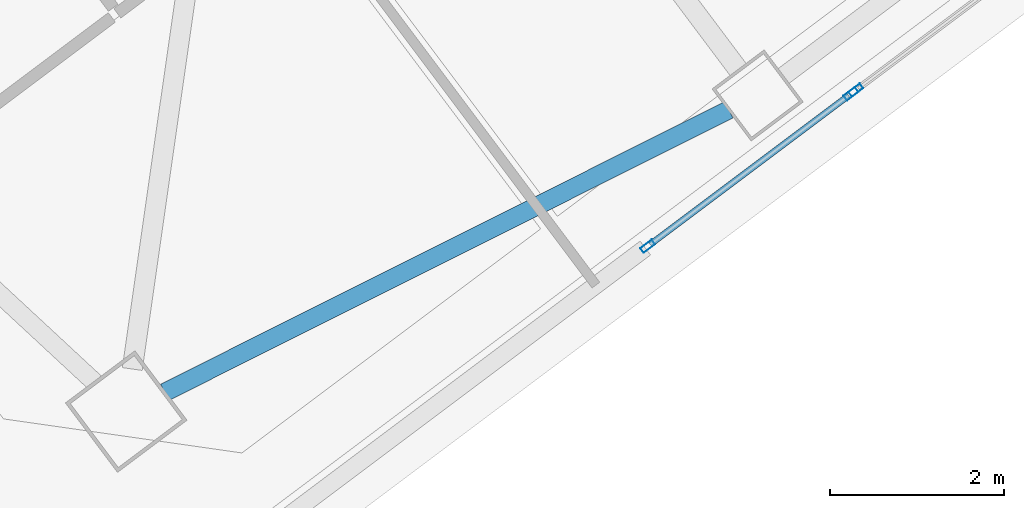
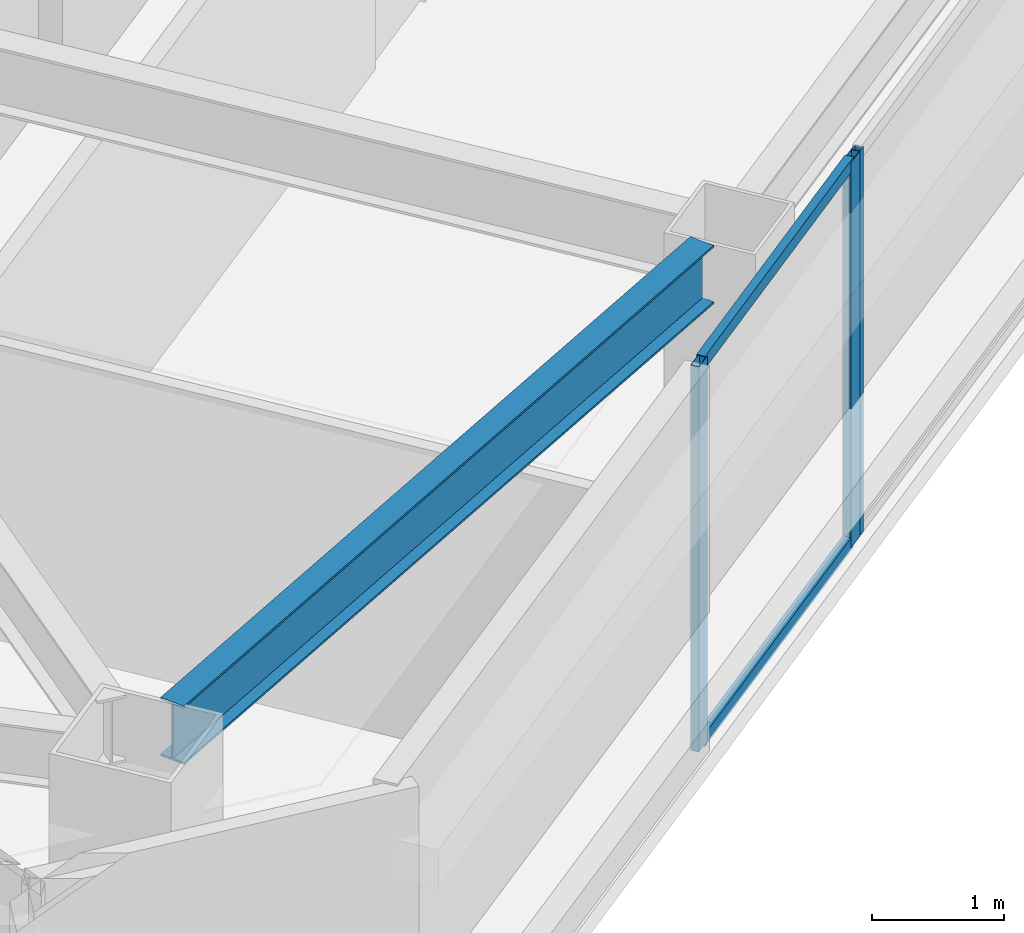
# One storey, part 18 of 40: 5 members, 1 beam, 2 elements without a shape of their own.
"""IFC4 building model written with IfcOpenShell, lengths in metres."""

import ifcopenshell
import ifcopenshell.guid

model = None  # the IFC model being written
_history = None  # IfcOwnerHistory: only IFC2X3 demands one
_inside = {}  # id of a spatial element -> (the spatial element, [elements in it])
_under = {}  # id of a project, library or spatial element -> (it, [spatial elements below it])
_declared = {}  # id of a project -> (the project, [libraries it declares])
_typed = {}  # id of a type object -> (the type object, [elements of that type])
_made_of = {}  # id of a material, layer set ... -> (it, [elements and type objects made of it])


def new_model(schema):
    """Start an empty IFC model of exactly this schema.

    Asked for "IFC4X3", IfcOpenShell would pick the latest addendum, in which some entities
    have other attributes; the version numbers below select the first issue.
    IFC2X3 requires an IfcOwnerHistory on every rooted entity: one is made here for all.
    """
    global model, _history
    if schema == "IFC4X3":
        model = ifcopenshell.file(schema_version=(4, 3, 0, 0))
    else:
        model = ifcopenshell.file(schema=schema)
    _inside.clear()
    _under.clear()
    _declared.clear()
    _typed.clear()
    _made_of.clear()
    _history = None
    if model.schema == "IFC2X3":
        org = make("IfcOrganization", Name="unknown")
        user = make(
            "IfcPersonAndOrganization",
            ThePerson=make("IfcPerson", FamilyName="unknown"),
            TheOrganization=org,
        )
        app = make(
            "IfcApplication",
            ApplicationDeveloper=org,
            Version="unknown",
            ApplicationFullName="unknown",
            ApplicationIdentifier="unknown",
        )
        _history = make(
            "IfcOwnerHistory",
            OwningUser=user,
            OwningApplication=app,
            ChangeAction="ADDED",
            CreationDate=0,
        )
    return model


def make(cls, **values):
    """One entity of the class cls with the attributes given. An attribute that is None is left unset."""
    return model.create_entity(
        cls, **{name: value for name, value in values.items() if value is not None}
    )


def rooted(cls, **values):
    """An entity with a GlobalId (a new one), such as an element, a storey or a relation."""
    return make(cls, GlobalId=ifcopenshell.guid.new(), OwnerHistory=_history, **values)


def si_unit(unit_type, name, prefix=None):
    """IfcSIUnit, for example si_unit("LENGTHUNIT", "METRE", prefix="MILLI")."""
    return make("IfcSIUnit", UnitType=unit_type, Prefix=prefix, Name=name)


def assignment(units):
    """IfcUnitAssignment: the units of a project."""
    return None if units is None else make("IfcUnitAssignment", Units=units)


def point(xyz):
    """IfcCartesianPoint."""
    return None if xyz is None else make("IfcCartesianPoint", Coordinates=xyz)


def direction(xyz):
    """IfcDirection."""
    return None if xyz is None else make("IfcDirection", DirectionRatios=xyz)


def frame(location, z_axis=None, x_axis=None):
    """IfcAxis2Placement3D, a coordinate frame: its origin and axes. An axis left out is left unset."""
    return make(
        "IfcAxis2Placement3D",
        Location=point(location),
        Axis=direction(z_axis),
        RefDirection=direction(x_axis),
    )


def frame_2d(location, x_axis=None):
    """IfcAxis2Placement2D, a coordinate frame in the plane: its origin and x axis."""
    return make(
        "IfcAxis2Placement2D", Location=point(location), RefDirection=direction(x_axis)
    )


def origin():
    """The frame at (0, 0, 0) with its axes left unset."""
    return frame((0.0, 0.0, 0.0))


def origin_2d():
    """The frame at (0, 0) in the plane with its x axis left unset."""
    return frame_2d((0.0, 0.0))


def place(relative_to, where):
    """IfcLocalPlacement: puts the frame where relative to a parent placement (None: the world)."""
    return make(
        "IfcLocalPlacement", PlacementRelTo=relative_to, RelativePlacement=where
    )


def context(
    kind, dimensions, precision=None, world=None, true_north=None, identifier=None
):
    """IfcGeometricRepresentationContext, for example the 3D "Model" context."""
    return make(
        "IfcGeometricRepresentationContext",
        ContextIdentifier=identifier,
        ContextType=kind,
        CoordinateSpaceDimension=dimensions,
        Precision=precision,
        WorldCoordinateSystem=world,
        TrueNorth=true_north,
    )


def subcontext(parent, identifier, kind, view, scale=None):
    """IfcGeometricRepresentationSubContext, for example "Body" below "Model"."""
    return make(
        "IfcGeometricRepresentationSubContext",
        ContextIdentifier=identifier,
        ContextType=kind,
        ParentContext=parent,
        TargetScale=scale,
        TargetView=view,
    )


def project(units=None, contexts=None):
    """IfcProject with its units and contexts."""
    return rooted(
        "IfcProject",
        Name="project",
        RepresentationContexts=contexts,
        UnitsInContext=assignment(units),
    )


def spatial(cls, under=None, at=None, **own):
    """A site, building, storey or space (cls), placed at a placement, below another one or the project."""
    s = rooted(cls, ObjectPlacement=at, **own)
    if under is not None:
        _under.setdefault(under.id(), (under, []))[1].append(s)
    return s


def profile(cls, at=None, kind="AREA", **sizes):
    """A parametric profile (cls). Its sizes go by their IFC names, for example OverallWidth=200.0."""
    return make(cls, ProfileType=kind, Position=at, **sizes)


def hollow_rectangle(**sizes):
    """IfcRectangleHollowProfileDef."""
    return profile("IfcRectangleHollowProfileDef", **sizes)


def i_section(**sizes):
    """IfcIShapeProfileDef."""
    return profile("IfcIShapeProfileDef", **sizes)


def extrude(swept, where, along, depth):
    """IfcExtrudedAreaSolid: the profile swept, set in the frame where, extruded along a direction by depth."""
    return make(
        "IfcExtrudedAreaSolid",
        SweptArea=swept,
        Position=where,
        ExtrudedDirection=direction(along),
        Depth=depth,
    )


def shape(context_of_items, identifier, shape_type, items):
    """IfcShapeRepresentation: the items that make up one representation, for example the "Body"."""
    return make(
        "IfcShapeRepresentation",
        ContextOfItems=context_of_items,
        RepresentationIdentifier=identifier,
        RepresentationType=shape_type,
        Items=items,
    )


def material(Name=None, Category=None):
    """IfcMaterial."""
    return make("IfcMaterial", Name=Name, Category=Category)


def material_profile(
    of_material, cross_section, Name=None, Category=None, Priority=None
):
    """IfcMaterialProfile: a cross section and its material."""
    return make(
        "IfcMaterialProfile",
        Name=Name,
        Material=of_material,
        Profile=cross_section,
        Priority=Priority,
        Category=Category,
    )


def profile_set(profiles, Name=None, composite=None):
    """IfcMaterialProfileSet."""
    return make(
        "IfcMaterialProfileSet",
        Name=Name,
        MaterialProfiles=profiles,
        CompositeProfile=composite,
    )


def made_of(thing, what):
    """Note that an element or type object is made of a material, layer set ...; save() writes the relation."""
    if what is not None:
        _made_of.setdefault(what.id(), (what, []))[1].append(thing)
    return thing


def type_object(cls, material=None, **own):
    """A type object (cls), such as IfcWallType, which elements share."""
    return made_of(rooted(cls, **own), material)


def element(
    cls,
    number,
    at=None,
    inside=None,
    cuts=None,
    type_object=None,
    material=None,
    context=None,
    identifier="Body",
    shape_type=None,
    held_by="IfcProductDefinitionShape",
    body=None,
    shapes=None,
    **own,
):
    """One element of the class cls, such as IfcWall. Its Tag is "e" and its number.

    at: its placement. inside: the storey or other place that contains it. cuts: it is an
    opening in that element (IfcRelVoidsElement). A single representation is given by context,
    identifier, shape_type and body (its items); several are given by shapes. held_by: the class
    of the entity that holds the representations. save() writes the other relations.
    """
    e = rooted(cls, Tag="e%d" % number, ObjectPlacement=at, **own)
    if body is not None:
        shapes = [shape(context, identifier, shape_type, body)]
    if shapes is not None:
        e.Representation = make(held_by, Representations=shapes)
    if inside is not None:
        _inside.setdefault(inside.id(), (inside, []))[1].append(e)
    if cuts is not None:
        rooted(
            "IfcRelVoidsElement", RelatingBuildingElement=cuts, RelatedOpeningElement=e
        )
    if type_object is not None:
        _typed.setdefault(type_object.id(), (type_object, []))[1].append(e)
    return made_of(e, material)


def aggregate(whole, parts):
    """IfcRelAggregates: a whole, such as a stair, and the parts it consists of."""
    return rooted("IfcRelAggregates", RelatingObject=whole, RelatedObjects=parts)


def save(model, path):
    """Write the relations noted so far, then the file.

    IfcRelAggregates (storeys below a building ...), IfcRelContainedInSpatialStructure (elements
    in a storey), IfcRelDefinesByType, IfcRelAssociatesMaterial and IfcRelDeclares: one each for
    every whole, place, type object, material and project.
    """
    for whole, parts in _under.values():
        aggregate(whole, parts)
    for where, things in _inside.values():
        rooted(
            "IfcRelContainedInSpatialStructure",
            RelatedElements=things,
            RelatingStructure=where,
        )
    for kind, things in _typed.values():
        rooted("IfcRelDefinesByType", RelatedObjects=things, RelatingType=kind)
    for what, things in _made_of.values():
        rooted("IfcRelAssociatesMaterial", RelatedObjects=things, RelatingMaterial=what)
    for by, libraries in _declared.values():
        rooted("IfcRelDeclares", RelatingContext=by, RelatedDefinitions=libraries)
    model.write(path)


model = new_model("IFC4")

# Units and contexts
model_context = context("Model", 3, precision=1e-05, world=origin(), true_north=direction((0.0, 1.0)))
body_context = subcontext(model_context, "Body", "Model", "MODEL_VIEW")
ifc_project = project(units=[si_unit("LENGTHUNIT", "METRE"), si_unit("AREAUNIT", "SQUARE_METRE"), si_unit("VOLUMEUNIT", "CUBIC_METRE"), si_unit("PLANEANGLEUNIT", "RADIAN"), si_unit("MASSUNIT", "GRAM", prefix="KILO")], contexts=[model_context])

# Site, building, storey
site_placement = place(None, origin())
site = spatial("IfcSite", under=ifc_project, at=site_placement, CompositionType="ELEMENT")
building_placement = place(site_placement, origin())
building = spatial("IfcBuilding", under=site, at=building_placement, Name="Tashvorn Skyway Center", CompositionType="ELEMENT")
storey_placement = place(building_placement, frame((0.0, 0.0, 221.949951171875)))
storey = spatial("IfcBuildingStorey", under=building, at=storey_placement, Name="L60", CompositionType="ELEMENT", Elevation=221.949951171875)

# Beam
ifc_material_1 = material(Name="Steel ASTM A992 Grade 50", Category="steel")
ifc_material_profile_1 = material_profile(ifc_material_1, i_section(OverallWidth=0.2109375, OverallDepth=0.5390625, WebThickness=0.01171875, FlangeThickness=0.018798828125, at=origin_2d()), Name="W21X73")
ifc_profile_set_1 = profile_set([ifc_material_profile_1], Name="Steel ASTM A992 Grade 50")
beam_type = type_object("IfcBeamType", Name="BM-SPANDREL-W21X73", PredefinedType="SPANDREL", material=ifc_profile_set_1)
beam_placement = place(storey_placement, frame((111.7626953125, 13.461669921875, 3.1005859375), z_axis=(0.894178380472, 0.447710870872, 0.0), x_axis=(-0.447710870872, 0.894178380472, 0.0)))
element("IfcBeam", 1, at=beam_placement, inside=storey, type_object=beam_type, Name="Tower 2 L60 Spandrel Beam 01", PredefinedType="SPANDREL", context=body_context, shape_type="SweptSolid", body=[
    extrude(i_section(OverallWidth=0.2109375, OverallDepth=0.5390625, WebThickness=0.01171875, FlangeThickness=0.018798828125, at=origin_2d()), origin(), (0.0, 0.0, 1.0), 7.26513671875),
])

# Curtain wall, member
ifc_material_2 = material(Name="Thermally broken bronze-anodized aluminium 6063-T6", Category="aluminium")
curtain_wall_type = type_object("IfcCurtainWallType", Name="CW-CW-Z5", PredefinedType="NOTDEFINED", material=ifc_material_2)
curtain_wall_1_placement = place(storey_placement, origin())
curtain_wall_1 = element("IfcCurtainWall", 2, at=curtain_wall_1_placement, inside=storey, type_object=curtain_wall_type, Name="Tower 2 L60 South Unitised Curtain Wall Glazing Group 2", PredefinedType="NOTDEFINED")
ifc_material_profile_2 = material_profile(ifc_material_2, hollow_rectangle(XDim=0.070068359375, YDim=0.1650390625, WallThickness=0.00390625, at=origin_2d()), Name="ALU-MULL-70x165")
ifc_profile_set_2 = profile_set([ifc_material_profile_2], Name="Thermally broken bronze-anodized aluminium 6063-T6")
member_type_1 = type_object("IfcMemberType", Name="CWM-CW-Z5", PredefinedType="MULLION", material=ifc_profile_set_2)
member_1_placement = place(storey_placement, frame((119.72119140625, 16.94091796875, 0.0), z_axis=(0.0, 0.0, 1.0), x_axis=(0.599996439189, -0.800002670596, 0.0)))
member_1 = element("IfcMember", 3, at=member_1_placement, type_object=member_type_1, Name="CW-Z5 mullion 2", PredefinedType="MULLION", context=body_context, shape_type="SweptSolid", body=[
    extrude(hollow_rectangle(XDim=0.070068359375, YDim=0.1650390625, WallThickness=0.00390625, at=origin_2d()), origin(), (0.0, 0.0, 1.0), 3.550048828125),
])
aggregate(curtain_wall_1, [member_1])

# Curtain wall, members
curtain_wall_2_placement = place(storey_placement, origin())
curtain_wall_2 = element("IfcCurtainWall", 4, at=curtain_wall_2_placement, inside=storey, type_object=curtain_wall_type, Name="Tower 2 L60 South Unitised Curtain Wall Glazing Group 3", PredefinedType="NOTDEFINED")
member_2_placement = place(storey_placement, frame((119.665283203125, 16.89892578125, 0.0), z_axis=(0.0, 0.0, 1.0), x_axis=(0.600000000002, -0.799999999998, 0.0)))
member_2 = element("IfcMember", 5, at=member_2_placement, type_object=member_type_1, Name="CW-Z5 mullion 1", PredefinedType="MULLION", context=body_context, shape_type="SweptSolid", body=[
    extrude(hollow_rectangle(XDim=0.070068359375, YDim=0.1650390625, WallThickness=0.00390625, at=origin_2d()), origin(), (0.0, 0.0, 1.0), 3.550048828125),
])
member_3_placement = place(storey_placement, frame((117.324951171875, 15.143798828125, 0.0), z_axis=(0.0, 0.0, 1.0), x_axis=(0.600000000002, -0.799999999998, 0.0)))
member_3 = element("IfcMember", 6, at=member_3_placement, type_object=member_type_1, Name="CW-Z5 mullion 2", PredefinedType="MULLION", context=body_context, shape_type="SweptSolid", body=[
    extrude(hollow_rectangle(XDim=0.070068359375, YDim=0.1650390625, WallThickness=0.00390625, at=origin_2d()), origin(), (0.0, 0.0, 1.0), 3.550048828125),
])
ifc_material_profile_3 = material_profile(ifc_material_2, hollow_rectangle(XDim=0.070068359375, YDim=0.114990234375, WallThickness=0.00390625, at=origin_2d()), Name="ALU-TRAN-70x115")
ifc_profile_set_3 = profile_set([ifc_material_profile_3], Name="Thermally broken bronze-anodized aluminium 6063-T6")
member_type_2 = type_object("IfcMemberType", Name="CWT-CW-Z5", PredefinedType="USERDEFINED", material=ifc_profile_set_3)
member_4_placement = place(storey_placement, frame((119.63720703125, 16.8779296875, 0.03515625), z_axis=(-0.800030779227, -0.599958958837, 0.0), x_axis=(0.599958958837, -0.800030779227, 0.0)))
member_4 = element("IfcMember", 7, at=member_4_placement, type_object=member_type_2, Name="CW-Z5 transom 1.1", ObjectType="TRANSOM", PredefinedType="USERDEFINED", context=body_context, shape_type="SweptSolid", body=[
    extrude(hollow_rectangle(XDim=0.070068359375, YDim=0.114990234375, WallThickness=0.00390625, at=origin_2d()), origin(), (0.0, 0.0, 1.0), 2.85546875),
])
member_5_placement = place(storey_placement, frame((119.63720703125, 16.8779296875, 3.51513671875), z_axis=(-0.800030779227, -0.599958958837, 0.0), x_axis=(0.599958958837, -0.800030779227, 0.0)))
member_5 = element("IfcMember", 8, at=member_5_placement, type_object=member_type_2, Name="CW-Z5 transom 1.2", ObjectType="TRANSOM", PredefinedType="USERDEFINED", context=body_context, shape_type="SweptSolid", body=[
    extrude(hollow_rectangle(XDim=0.070068359375, YDim=0.114990234375, WallThickness=0.00390625, at=origin_2d()), origin(), (0.0, 0.0, 1.0), 2.85546875),
])
aggregate(curtain_wall_2, [member_2, member_3, member_4, member_5])

save(model, "model.ifc")
